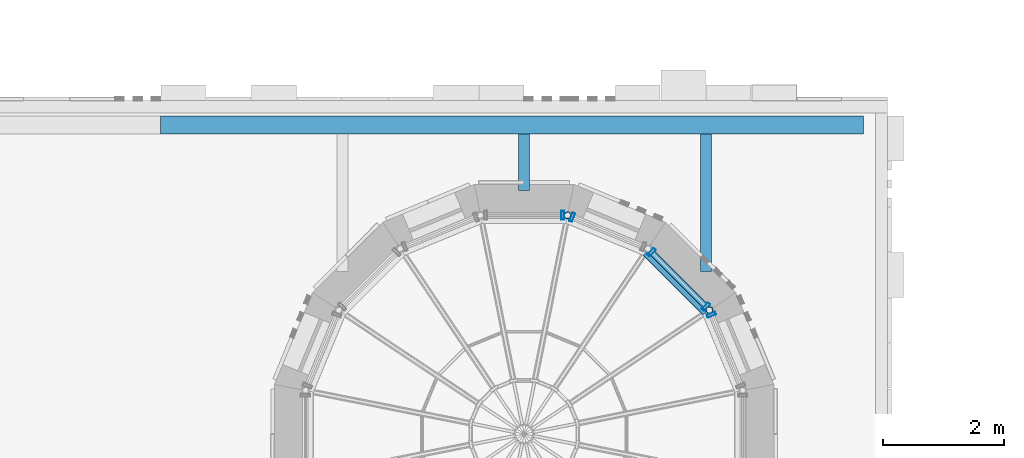
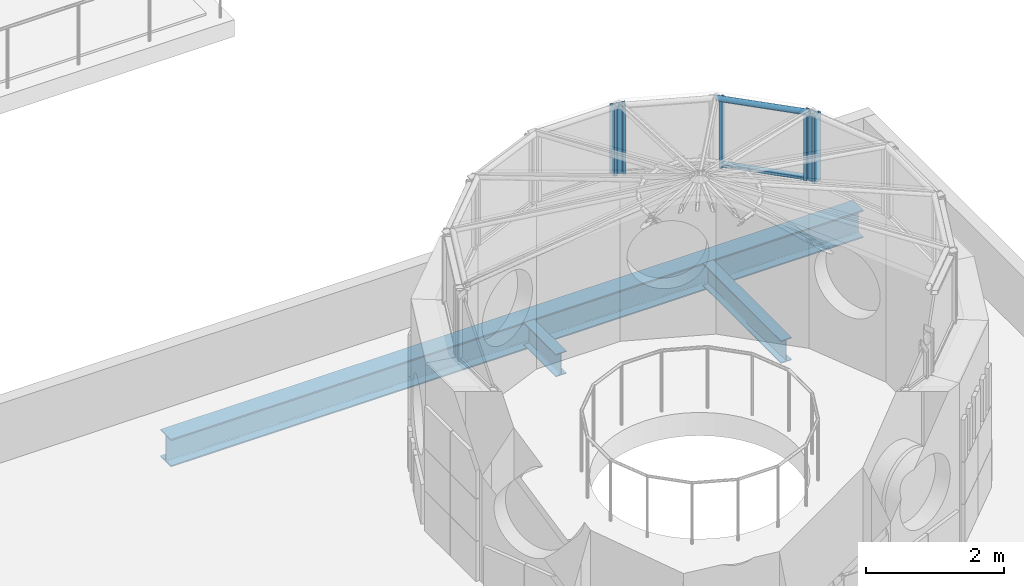
# One storey, part 19 of 98: 12 members, 1 beam, 4 elements without a shape of their own.
"""IFC4 building model written with IfcOpenShell, lengths in metres."""

from ifc_helpers import new_model, si_unit, direction, frame, origin, origin_2d, place, context, subcontext, project, spatial, hollow_rectangle, hollow_circle, i_section, extrude, material, material_profile, profile_set, type_object, element, aggregate, save


model = new_model("IFC4")

# Units and contexts
model_context = context("Model", 3, precision=1e-05, world=origin(), true_north=direction((0.0, 1.0)))
body_context = subcontext(model_context, "Body", "Model", "MODEL_VIEW")
ifc_project = project(units=[si_unit("LENGTHUNIT", "METRE"), si_unit("AREAUNIT", "SQUARE_METRE"), si_unit("VOLUMEUNIT", "CUBIC_METRE"), si_unit("PLANEANGLEUNIT", "RADIAN"), si_unit("MASSUNIT", "GRAM", prefix="KILO")], contexts=[model_context])

# Site, building, storey
site_placement = place(None, origin())
site = spatial("IfcSite", under=ifc_project, at=site_placement, CompositionType="ELEMENT")
building_placement = place(site_placement, origin())
building = spatial("IfcBuilding", under=site, at=building_placement, Name="Sun Court Science Centre", CompositionType="ELEMENT")
storey_placement = place(building_placement, frame((0.0, 0.0, 15.75)))
storey = spatial("IfcBuildingStorey", under=building, at=storey_placement, Name="L03", CompositionType="ELEMENT", Elevation=15.75)

# Curtain wall, member
ifc_material_1 = material(Name="Aluminium EN AW-6063 T6", Category="aluminium")
curtain_wall_type = type_object("IfcCurtainWallType", Name="Lantern clerestory curtain wall 1500", PredefinedType="NOTDEFINED", material=ifc_material_1)
curtain_wall_1_placement = place(storey_placement, origin())
curtain_wall_1 = element("IfcCurtainWall", 1, at=curtain_wall_1_placement, inside=storey, type_object=curtain_wall_type, Name="Curtain wall V2 C6 clerestory L03 01", PredefinedType="NOTDEFINED")
ifc_material_2 = material(Name="Aluminium EN AW-6063 T6", Category="aluminium")
ifc_material_profile_1 = material_profile(ifc_material_2, hollow_rectangle(XDim=0.050048828125, YDim=0.14990234375, WallThickness=0.00390625, InnerFilletRadius=0.00390625, OuterFilletRadius=0.006103515625, at=origin_2d()), Name="AL 50x150x4")
ifc_profile_set_1 = profile_set([ifc_material_profile_1], Name="Aluminium EN AW-6063 T6")
member_type_1 = type_object("IfcMemberType", Name="Curtain wall mullion AL 50x150", PredefinedType="MULLION", material=ifc_profile_set_1)
member_1_placement = place(storey_placement, frame((69.08984375, 24.467529296875, 3.050048828125), z_axis=(0.0, 0.0, 1.0), x_axis=(0.382683432365, -0.923879532511, 0.0)))
member_1 = element("IfcMember", 2, at=member_1_placement, type_object=member_type_1, Name="CW4-81 mullion 1", PredefinedType="MULLION", context=body_context, shape_type="SweptSolid", body=[
    extrude(hollow_rectangle(XDim=0.050048828125, YDim=0.14990234375, WallThickness=0.00390625, InnerFilletRadius=0.00390625, OuterFilletRadius=0.006103515625, at=origin_2d()), origin(), (0.0, 0.0, 1.0), 1.199951171875),
])
aggregate(curtain_wall_1, [member_1])

# Curtain wall, members
curtain_wall_2_placement = place(storey_placement, origin())
curtain_wall_2 = element("IfcCurtainWall", 3, at=curtain_wall_2_placement, inside=storey, type_object=curtain_wall_type, Name="Curtain wall V2 C6 clerestory L03 02", PredefinedType="NOTDEFINED")
member_2_placement = place(storey_placement, frame((68.1015625, 25.500244140625, 3.050048828125), z_axis=(0.0, 0.0, 1.0), x_axis=(0.707106781187, -0.707106781187, 0.0)))
member_2 = element("IfcMember", 4, at=member_2_placement, type_object=member_type_1, Name="CW4-82 mullion 1", PredefinedType="MULLION", context=body_context, shape_type="SweptSolid", body=[
    extrude(hollow_rectangle(XDim=0.050048828125, YDim=0.14990234375, WallThickness=0.00390625, InnerFilletRadius=0.00390625, OuterFilletRadius=0.006103515625, at=origin_2d()), origin(), (0.0, 0.0, 1.0), 1.199951171875),
])
member_3_placement = place(storey_placement, frame((69.000244140625, 24.6015625, 3.050048828125), z_axis=(0.0, 0.0, 1.0), x_axis=(0.707106781187, -0.707106781187, 0.0)))
member_3 = element("IfcMember", 5, at=member_3_placement, type_object=member_type_1, Name="CW4-82 mullion 2", PredefinedType="MULLION", context=body_context, shape_type="SweptSolid", body=[
    extrude(hollow_rectangle(XDim=0.050048828125, YDim=0.14990234375, WallThickness=0.00390625, InnerFilletRadius=0.00390625, OuterFilletRadius=0.006103515625, at=origin_2d()), origin(), (0.0, 0.0, 1.0), 1.199951171875),
])

# Curtain wall, member
curtain_wall_3_placement = place(storey_placement, origin())
curtain_wall_3 = element("IfcCurtainWall", 6, at=curtain_wall_3_placement, inside=storey, type_object=curtain_wall_type, Name="Curtain wall V2 C6 clerestory L03 03", PredefinedType="NOTDEFINED")
member_4_placement = place(storey_placement, frame((66.79345703125, 26.076171875, 3.050048828125), z_axis=(0.0, 0.0, 1.0), x_axis=(0.923879532511, -0.382683432365, 0.0)))
member_4 = element("IfcMember", 7, at=member_4_placement, type_object=member_type_1, Name="CW4-83 mullion 1", PredefinedType="MULLION", context=body_context, shape_type="SweptSolid", body=[
    extrude(hollow_rectangle(XDim=0.050048828125, YDim=0.14990234375, WallThickness=0.00390625, InnerFilletRadius=0.00390625, OuterFilletRadius=0.006103515625, at=origin_2d()), origin(), (0.0, 0.0, 1.0), 1.199951171875),
])
aggregate(curtain_wall_3, [member_4])

curtain_wall_4_placement = place(storey_placement, origin())
curtain_wall_4 = element("IfcCurtainWall", 8, at=curtain_wall_4_placement, inside=storey, type_object=curtain_wall_type, Name="Curtain wall V2 C6 clerestory L03 04", PredefinedType="NOTDEFINED")
member_5_placement = place(storey_placement, frame((66.635498046875, 26.107666015625, 3.050048828125), z_axis=(0.0, 0.0, 1.0), x_axis=(1.0, 0.0, 0.0)))
member_5 = element("IfcMember", 9, at=member_5_placement, type_object=member_type_1, Name="CW4-84 mullion 2", PredefinedType="MULLION", context=body_context, shape_type="SweptSolid", body=[
    extrude(hollow_rectangle(XDim=0.050048828125, YDim=0.14990234375, WallThickness=0.00390625, InnerFilletRadius=0.00390625, OuterFilletRadius=0.006103515625, at=origin_2d()), origin(), (0.0, 0.0, 1.0), 1.199951171875),
])
aggregate(curtain_wall_4, [member_5])

# Member
ifc_material_3 = material(Name="Aluminium EN AW-6063 T6", Category="aluminium")
ifc_material_profile_2 = material_profile(ifc_material_3, hollow_rectangle(XDim=0.050048828125, YDim=0.10009765625, WallThickness=0.00390625, InnerFilletRadius=0.00390625, OuterFilletRadius=0.006103515625, at=origin_2d()), Name="AL 50x100x4")
ifc_profile_set_2 = profile_set([ifc_material_profile_2], Name="Aluminium EN AW-6063 T6")
member_type_2 = type_object("IfcMemberType", Name="Curtain wall transom AL 50x100", PredefinedType="USERDEFINED", material=ifc_profile_set_2)
member_6_placement = place(storey_placement, frame((68.119384765625, 25.482666015625, 3.074951171875), z_axis=(0.707106781187, -0.707106781187, 0.0), x_axis=(0.0, 0.0, 1.0)))
member_6 = element("IfcMember", 10, at=member_6_placement, type_object=member_type_2, Name="CW4-82 transom 1.1", ObjectType="TRANSOM", PredefinedType="USERDEFINED", context=body_context, shape_type="SweptSolid", body=[
    extrude(hollow_rectangle(XDim=0.050048828125, YDim=0.10009765625, WallThickness=0.00390625, InnerFilletRadius=0.00390625, OuterFilletRadius=0.006103515625, at=origin_2d()), origin(), (0.0, 0.0, 1.0), 1.220947265625),
])

member_7_placement = place(storey_placement, frame((68.119384765625, 25.482666015625, 4.22509765625), z_axis=(0.707106781187, -0.707106781187, 0.0), x_axis=(0.0, 0.0, 1.0)))
member_7 = element("IfcMember", 11, at=member_7_placement, type_object=member_type_2, Name="CW4-82 transom 1.2", ObjectType="TRANSOM", PredefinedType="USERDEFINED", context=body_context, shape_type="SweptSolid", body=[
    extrude(hollow_rectangle(XDim=0.050048828125, YDim=0.10009765625, WallThickness=0.00390625, InnerFilletRadius=0.00390625, OuterFilletRadius=0.006103515625, at=origin_2d()), origin(), (0.0, 0.0, 1.0), 1.220947265625),
])

aggregate(curtain_wall_2, [member_2, member_3, member_6, member_7])

# Members
ifc_material_4 = material(Name="Steel S355", Category="steel")
ifc_material_profile_3 = material_profile(ifc_material_4, hollow_circle(Radius=0.04443359375, WallThickness=0.0048828125, at=origin_2d()), Name="CHS 88.9x5")
ifc_profile_set_3 = profile_set([ifc_material_profile_3], Name="Steel S355")
member_type_3 = type_object("IfcMemberType", Name="Lantern base ring CHS 88.9x5", PredefinedType="CHORD", material=ifc_profile_set_3)
member_8_placement = place(storey_placement, frame((68.9833984375, 24.493408203125, 4.29443359375), z_axis=(-0.707106781187, 0.707106781187, 0.0), x_axis=(-0.707106781187, -0.707106781187, 0.0)))
element("IfcMember", 12, at=member_8_placement, inside=storey, type_object=member_type_3, Name="Cone 6 lantern base ring 2", PredefinedType="CHORD", context=body_context, shape_type="SweptSolid", body=[
    extrude(hollow_circle(Radius=0.04443359375, WallThickness=0.0048828125, at=origin_2d()), origin(), (0.0, 0.0, 1.0), 1.400146484375),
])
ifc_material_5 = material(Name="Steel S355", Category="steel")
ifc_material_profile_4 = material_profile(ifc_material_5, hollow_circle(Radius=0.05712890625, WallThickness=0.00634765625, at=origin_2d()), Name="CHS 114.3x6.3")
ifc_profile_set_4 = profile_set([ifc_material_profile_4], Name="Steel S355")
member_type_4 = type_object("IfcMemberType", Name="Lantern post CHS 114.3x6.3", PredefinedType="POST", material=ifc_profile_set_4)
for number, where, z_axis, x_axis, name in (
    (13, (69.058349609375, 24.54345703125, 3.050048828125), (0.0, 0.0, 1.0), (1.0, 0.0, 0.0), "Cone 6 clerestory post 2"),
    (14, (66.717529296875, 26.107666015625, 3.050048828125), (0.0, 0.0, 1.0), (1.0, 0.0, 0.0), "Cone 6 clerestory post 4"),
):
    element("IfcMember", number, at=place(storey_placement, frame(where, z_axis=z_axis, x_axis=x_axis)), inside=storey, type_object=member_type_4, Name=name, PredefinedType="POST", context=body_context, shape_type="SweptSolid", body=[
        extrude(hollow_circle(Radius=0.05712890625, WallThickness=0.00634765625, at=origin_2d()), origin(), (0.0, 0.0, 1.0), 1.199951171875),
    ])
ifc_material_6 = material(Name="Steel S275", Category="steel")
ifc_material_profile_5 = material_profile(ifc_material_6, i_section(OverallWidth=0.179931640625, OverallDepth=0.39990234375, WebThickness=0.008544921875, FlangeThickness=0.013427734375, FilletRadius=0.02099609375, at=origin_2d()), Name="IPE 400")
ifc_profile_set_5 = profile_set([ifc_material_profile_5], Name="Steel S275")
member_type_5 = type_object("IfcMemberType", Name="Roof purlin IPE 400", PredefinedType="PURLIN", material=ifc_profile_set_5)
member_9_placement = place(storey_placement, frame((66.0, 26.519287109375, -0.35009765625), z_axis=(0.0, 1.0, 0.0), x_axis=(-1.0, 0.0, 0.0)))
element("IfcMember", 15, at=member_9_placement, inside=storey, type_object=member_type_5, Name="Roof purlin", PredefinedType="PURLIN", context=body_context, shape_type="SweptSolid", body=[
    extrude(i_section(OverallWidth=0.179931640625, OverallDepth=0.39990234375, WebThickness=0.008544921875, FlangeThickness=0.013427734375, FilletRadius=0.02099609375, at=origin_2d()), origin(), (0.0, 0.0, 1.0), 0.9306640625),
])
member_10_placement = place(storey_placement, frame((69.0, 25.18408203125, -0.35009765625), z_axis=(0.0, 1.0, 0.0), x_axis=(-1.0, 0.0, 0.0)))
element("IfcMember", 16, at=member_10_placement, inside=storey, type_object=member_type_5, Name="Roof purlin", PredefinedType="PURLIN", context=body_context, shape_type="SweptSolid", body=[
    extrude(i_section(OverallWidth=0.179931640625, OverallDepth=0.39990234375, WebThickness=0.008544921875, FlangeThickness=0.013427734375, FilletRadius=0.02099609375, at=origin_2d()), origin(), (0.0, 0.0, 1.0), 2.265869140625),
])

# Beam
ifc_material_7 = material(Name="Steel S355", Category="steel")
ifc_material_profile_6 = material_profile(ifc_material_7, i_section(OverallWidth=0.300048828125, OverallDepth=0.489990234375, WebThickness=0.011962890625, FlangeThickness=0.02294921875, FilletRadius=0.027099609375, at=origin_2d()), Name="HEA 500")
ifc_profile_set_6 = profile_set([ifc_material_profile_6], Name="Steel S355")
beam_type = type_object("IfcBeamType", Name="Steel beam HEA 500", PredefinedType="BEAM", material=ifc_profile_set_6)
beam_placement = place(storey_placement, frame((60.0009765625, 27.60009765625, -0.39501953125), z_axis=(1.0, 0.0, 0.0), x_axis=(0.0, 1.0, 0.0)))
element("IfcBeam", 17, at=beam_placement, inside=storey, type_object=beam_type, Name="Roof girder line 3", PredefinedType="BEAM", context=body_context, shape_type="SweptSolid", body=[
    extrude(i_section(OverallWidth=0.300048828125, OverallDepth=0.489990234375, WebThickness=0.011962890625, FlangeThickness=0.02294921875, FilletRadius=0.027099609375, at=origin_2d()), origin(), (0.0, 0.0, 1.0), 11.59814453125),
])

save(model, "model.ifc")
